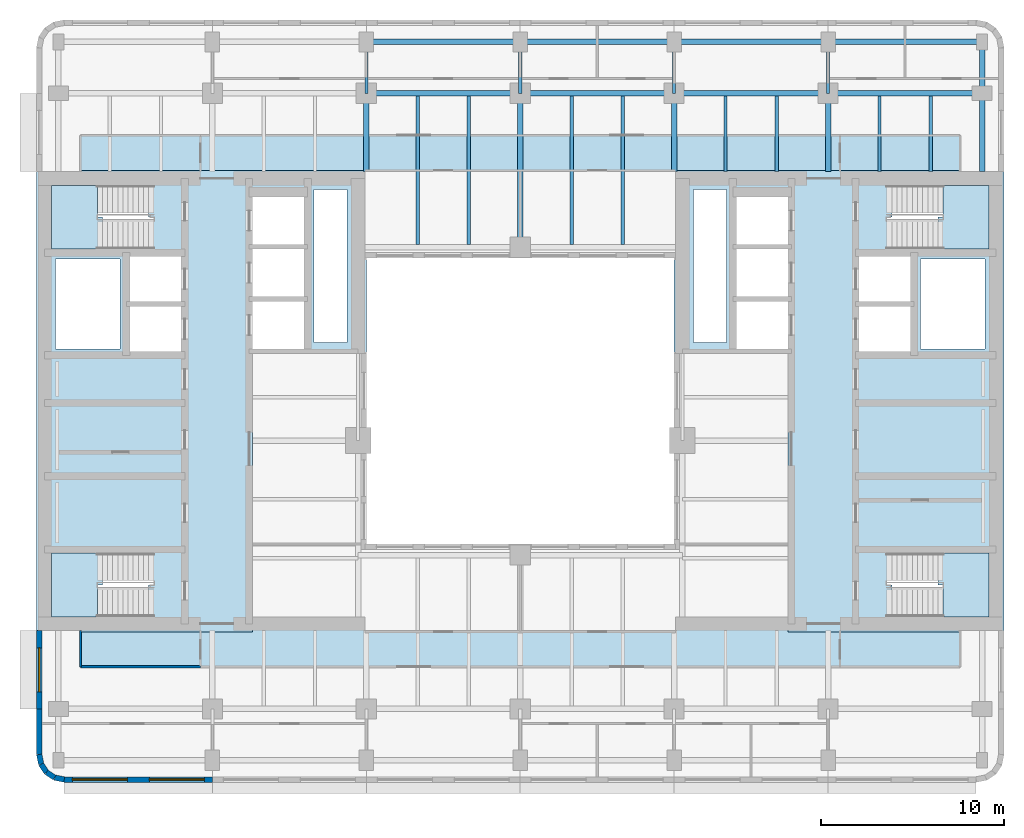
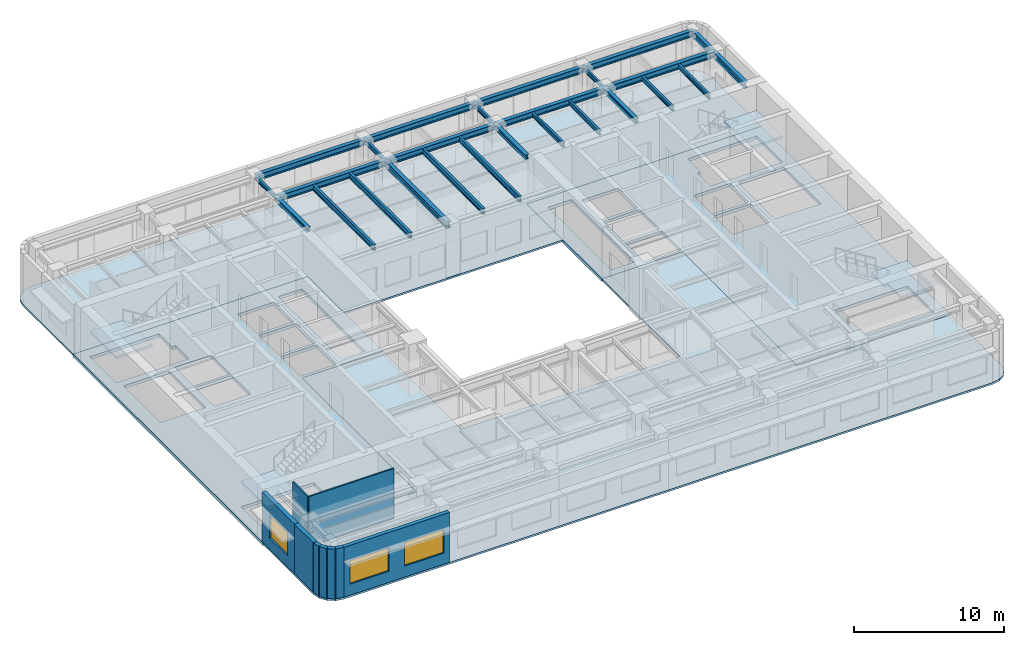
# One storey, part 2 of 11: 26 beams, 9 walls, 8 slabs, 3 windows, 3 openings, 4 elements without a shape of their own.
"""IFC4 building model written with IfcOpenShell, lengths in metres."""

from ifc_helpers import new_model, si_unit, direction, frame, frame_2d, origin, origin_2d, place, context, subcontext, project, spatial, polyline, rectangle, i_section, outline, extrude, material, layer, layer_set, material_profile, profile_set, type_object, element, fill, aggregate, save


model = new_model("IFC4")

# Units and contexts
model_context = context("Model", 3, precision=1e-05, world=origin(), true_north=direction((0.0, 1.0)))
body_context = subcontext(model_context, "Body", "Model", "MODEL_VIEW")
ifc_project = project(units=[si_unit("LENGTHUNIT", "METRE"), si_unit("AREAUNIT", "SQUARE_METRE"), si_unit("VOLUMEUNIT", "CUBIC_METRE"), si_unit("PLANEANGLEUNIT", "RADIAN"), si_unit("MASSUNIT", "GRAM", prefix="KILO")], contexts=[model_context])

# Site, building, storey
site_placement = place(None, origin())
site = spatial("IfcSite", under=ifc_project, at=site_placement, CompositionType="ELEMENT")
building_placement = place(site_placement, origin())
building = spatial("IfcBuilding", under=site, at=building_placement, Name="Claustro Exchange Tower", CompositionType="ELEMENT")
storey_placement = place(building_placement, frame((0.0, 0.0, 232.199951171875)))
storey = spatial("IfcBuildingStorey", under=building, at=storey_placement, Name="L53", CompositionType="ELEMENT", Elevation=232.199951171875)

# Beams
ifc_material_1 = material(Name="Steel S355", Category="steel")
ifc_material_profile_1 = material_profile(ifc_material_1, i_section(OverallWidth=0.169921875, OverallDepth=0.360107421875, WebThickness=0.008056640625, FlangeThickness=0.0126953125, FilletRadius=0.01806640625, at=origin_2d()), Name="IPE 360")
ifc_profile_set_1 = profile_set([ifc_material_profile_1], Name="Steel S355")
beam_type_1 = type_object("IfcBeamType", Name="B16 IPE 360 short-span beam", PredefinedType="BEAM", material=ifc_profile_set_1)
for number, where, z_axis, x_axis, name in (
    (1, (16.800048828125, 42.0, 3.8701171875), (0.0, 1.0, 0.0), (-1.0, 0.0, 0.0), "Beam B16 L54"),
    (2, (25.199951171875, 42.0, 3.8701171875), (0.0, 1.0, 0.0), (-1.0, 0.0, 0.0), "Beam B16 L54"),
    (3, (33.60009765625, 42.0, 3.8701171875), (0.0, 1.0, 0.0), (-1.0, 0.0, 0.0), "Beam B16 L54"),
    (4, (42.0, 42.0, 3.8701171875), (0.0, 1.0, 0.0), (-1.0, 0.0, 0.0), "Beam B16 L54"),
):
    element("IfcBeam", number, at=place(storey_placement, frame(where, z_axis=z_axis, x_axis=x_axis)), inside=storey, type_object=beam_type_1, Name=name, PredefinedType="BEAM", context=body_context, shape_type="SweptSolid", body=[
        extrude(i_section(OverallWidth=0.169921875, OverallDepth=0.360107421875, WebThickness=0.008056640625, FlangeThickness=0.0126953125, FilletRadius=0.01806640625, at=origin_2d()), origin(), (0.0, 0.0, 1.0), 2.800048828125),
    ])
for number, where, z_axis, x_axis, name in (
    (5, (36.39990234375, 37.72509765625, 3.8701171875), (0.0, 1.0, 0.0), (-1.0, 0.0, 0.0), "Beam B16 L54"),
    (6, (39.199951171875, 37.72509765625, 3.8701171875), (0.0, 1.0, 0.0), (-1.0, 0.0, 0.0), "Beam B16 L54"),
    (7, (44.800048828125, 37.72509765625, 3.8701171875), (0.0, 1.0, 0.0), (-1.0, 0.0, 0.0), "Beam B16 L54"),
    (8, (47.60009765625, 37.72509765625, 3.8701171875), (0.0, 1.0, 0.0), (-1.0, 0.0, 0.0), "Beam B16 L54"),
):
    element("IfcBeam", number, at=place(storey_placement, frame(where, z_axis=z_axis, x_axis=x_axis)), inside=storey, type_object=beam_type_1, Name=name, PredefinedType="BEAM", context=body_context, shape_type="SweptSolid", body=[
        extrude(i_section(OverallWidth=0.169921875, OverallDepth=0.360107421875, WebThickness=0.008056640625, FlangeThickness=0.0126953125, FilletRadius=0.01806640625, at=origin_2d()), origin(), (0.0, 0.0, 1.0), 4.125),
    ])
ifc_material_2 = material(Name="Steel S355", Category="steel")
ifc_material_profile_2 = material_profile(ifc_material_2, i_section(OverallWidth=0.300048828125, OverallDepth=0.360107421875, WebThickness=0.012451171875, FlangeThickness=0.0224609375, FilletRadius=0.027099609375, at=origin_2d()), Name="HE 360 B")
ifc_profile_set_2 = profile_set([ifc_material_profile_2], Name="Steel S355")
beam_type_2 = type_object("IfcBeamType", Name="B29 HE 360 B column to core link beam", PredefinedType="BEAM", material=ifc_profile_set_2)
for number, where, z_axis, x_axis, name in (
    (9, (16.800048828125, 37.72509765625, 3.8701171875), (0.0, 1.0, 0.0), (-1.0, 0.0, 0.0), "Beam B29 L54"),
    (10, (33.60009765625, 37.72509765625, 3.8701171875), (0.0, 1.0, 0.0), (-1.0, 0.0, 0.0), "Beam B29 L54"),
    (11, (42.0, 37.72509765625, 3.8701171875), (0.0, 1.0, 0.0), (-1.0, 0.0, 0.0), "Beam B29 L54"),
):
    element("IfcBeam", number, at=place(storey_placement, frame(where, z_axis=z_axis, x_axis=x_axis)), inside=storey, type_object=beam_type_2, Name=name, PredefinedType="BEAM", context=body_context, shape_type="SweptSolid", body=[
        extrude(i_section(OverallWidth=0.300048828125, OverallDepth=0.360107421875, WebThickness=0.012451171875, FlangeThickness=0.0224609375, FilletRadius=0.027099609375, at=origin_2d()), origin(), (0.0, 0.0, 1.0), 4.27490234375),
    ])
ifc_material_3 = material(Name="Steel S355", Category="steel")
ifc_material_profile_3 = material_profile(ifc_material_3, i_section(OverallWidth=0.300048828125, OverallDepth=0.5, WebThickness=0.014404296875, FlangeThickness=0.028076171875, FilletRadius=0.027099609375, at=origin_2d()), Name="HE 500 B")
ifc_profile_set_3 = profile_set([ifc_material_profile_3], Name="Steel S355")
beam_type_3 = type_object("IfcBeamType", Name="B7 HE 500 B floor girder", PredefinedType="BEAM", material=ifc_profile_set_3)
for number, where, z_axis, x_axis, name in (
    (12, (25.199951171875, 33.60009765625, 3.800048828125), (0.0, 1.0, 0.0), (-1.0, 0.0, 0.0), "Beam B7 L54"),
    (13, (16.800048828125, 42.0, 3.800048828125), (1.0, 0.0, 0.0), (0.0, 1.0, 0.0), "Beam B7 L54"),
):
    element("IfcBeam", number, at=place(storey_placement, frame(where, z_axis=z_axis, x_axis=x_axis)), inside=storey, type_object=beam_type_3, Name=name, PredefinedType="BEAM", context=body_context, shape_type="SweptSolid", body=[
        extrude(i_section(OverallWidth=0.300048828125, OverallDepth=0.5, WebThickness=0.014404296875, FlangeThickness=0.028076171875, FilletRadius=0.027099609375, at=origin_2d()), origin(), (0.0, 0.0, 1.0), 8.39990234375),
    ])
beam_1_placement = place(storey_placement, frame((25.199951171875, 42.0, 3.800048828125), z_axis=(1.0, 0.0, 0.0), x_axis=(0.0, 1.0, 0.0)))
element("IfcBeam", 14, at=beam_1_placement, inside=storey, type_object=beam_type_3, Name="Beam B7 L54", PredefinedType="BEAM", context=body_context, shape_type="SweptSolid", body=[
    extrude(i_section(OverallWidth=0.300048828125, OverallDepth=0.5, WebThickness=0.014404296875, FlangeThickness=0.028076171875, FilletRadius=0.027099609375, at=origin_2d()), origin(), (0.0, 0.0, 1.0), 8.400146484375),
])
for number, where, z_axis, x_axis, name in (
    (15, (33.60009765625, 42.0, 3.800048828125), (1.0, 0.0, 0.0), (0.0, 1.0, 0.0), "Beam B7 L54"),
    (16, (42.0, 42.0, 3.800048828125), (1.0, 0.0, 0.0), (0.0, 1.0, 0.0), "Beam B7 L54"),
):
    element("IfcBeam", number, at=place(storey_placement, frame(where, z_axis=z_axis, x_axis=x_axis)), inside=storey, type_object=beam_type_3, Name=name, PredefinedType="BEAM", context=body_context, shape_type="SweptSolid", body=[
        extrude(i_section(OverallWidth=0.300048828125, OverallDepth=0.5, WebThickness=0.014404296875, FlangeThickness=0.028076171875, FilletRadius=0.027099609375, at=origin_2d()), origin(), (0.0, 0.0, 1.0), 8.39990234375),
    ])
ifc_material_4 = material(Name="Steel S355", Category="steel")
ifc_material_profile_4 = material_profile(ifc_material_4, i_section(OverallWidth=0.18994140625, OverallDepth=0.449951171875, WebThickness=0.009521484375, FlangeThickness=0.0146484375, FilletRadius=0.02099609375, at=origin_2d()), Name="IPE 450")
ifc_profile_set_4 = profile_set([ifc_material_profile_4], Name="Steel S355")
beam_type_4 = type_object("IfcBeamType", Name="B8 IPE 450 secondary beam", PredefinedType="BEAM", material=ifc_profile_set_4)
for number, where, z_axis, x_axis, name in (
    (17, (19.60009765625, 33.75, 3.824951171875), (0.0, 1.0, 0.0), (-1.0, 0.0, 0.0), "Beam B8 L54"),
    (18, (22.39990234375, 33.75, 3.824951171875), (0.0, 1.0, 0.0), (-1.0, 0.0, 0.0), "Beam B8 L54"),
    (19, (28.0, 33.75, 3.824951171875), (0.0, 1.0, 0.0), (-1.0, 0.0, 0.0), "Beam B8 L54"),
    (20, (30.800048828125, 33.75, 3.824951171875), (0.0, 1.0, 0.0), (-1.0, 0.0, 0.0), "Beam B8 L54"),
):
    element("IfcBeam", number, at=place(storey_placement, frame(where, z_axis=z_axis, x_axis=x_axis)), inside=storey, type_object=beam_type_4, Name=name, PredefinedType="BEAM", context=body_context, shape_type="SweptSolid", body=[
        extrude(i_section(OverallWidth=0.18994140625, OverallDepth=0.449951171875, WebThickness=0.009521484375, FlangeThickness=0.0146484375, FilletRadius=0.02099609375, at=origin_2d()), origin(), (0.0, 0.0, 1.0), 8.10009765625),
    ])
ifc_material_5 = material(Name="Steel S355", Category="steel")
ifc_material_profile_5 = material_profile(ifc_material_5, i_section(OverallWidth=0.300048828125, OverallDepth=0.489990234375, WebThickness=0.011962890625, FlangeThickness=0.02294921875, FilletRadius=0.027099609375, at=origin_2d()), Name="HE 500 A")
ifc_profile_set_5 = profile_set([ifc_material_profile_5], Name="Steel S355")
beam_type_5 = type_object("IfcBeamType", Name="B9 HE 500 A spandrel edge girder", PredefinedType="SPANDREL", material=ifc_profile_set_5)
beam_2_placement = place(storey_placement, frame((50.39990234375, 37.72509765625, 3.804931640625), z_axis=(0.0, 1.0, 0.0), x_axis=(-1.0, 0.0, 0.0)))
element("IfcBeam", 21, at=beam_2_placement, inside=storey, type_object=beam_type_5, Name="Beam B9 L54", PredefinedType="SPANDREL", context=body_context, shape_type="SweptSolid", body=[
    extrude(i_section(OverallWidth=0.300048828125, OverallDepth=0.489990234375, WebThickness=0.011962890625, FlangeThickness=0.02294921875, FilletRadius=0.027099609375, at=origin_2d()), origin(), (0.0, 0.0, 1.0), 4.27490234375),
])
beam_3_placement = place(storey_placement, frame((50.39990234375, 42.0, 3.804931640625), z_axis=(0.0, 1.0, 0.0), x_axis=(-1.0, 0.0, 0.0)))
element("IfcBeam", 22, at=beam_3_placement, inside=storey, type_object=beam_type_5, Name="Beam B9 L54", PredefinedType="SPANDREL", context=body_context, shape_type="SweptSolid", body=[
    extrude(i_section(OverallWidth=0.300048828125, OverallDepth=0.489990234375, WebThickness=0.011962890625, FlangeThickness=0.02294921875, FilletRadius=0.027099609375, at=origin_2d()), origin(), (0.0, 0.0, 1.0), 2.800048828125),
])
beam_4_placement = place(storey_placement, frame((16.800048828125, 44.800048828125, 3.804931640625), z_axis=(1.0, 0.0, 0.0), x_axis=(0.0, 1.0, 0.0)))
element("IfcBeam", 23, at=beam_4_placement, inside=storey, type_object=beam_type_5, Name="Beam B9 L54", PredefinedType="SPANDREL", context=body_context, shape_type="SweptSolid", body=[
    extrude(i_section(OverallWidth=0.300048828125, OverallDepth=0.489990234375, WebThickness=0.011962890625, FlangeThickness=0.02294921875, FilletRadius=0.027099609375, at=origin_2d()), origin(), (0.0, 0.0, 1.0), 8.39990234375),
])
beam_5_placement = place(storey_placement, frame((25.199951171875, 44.800048828125, 3.804931640625), z_axis=(1.0, 0.0, 0.0), x_axis=(0.0, 1.0, 0.0)))
element("IfcBeam", 24, at=beam_5_placement, inside=storey, type_object=beam_type_5, Name="Beam B9 L54", PredefinedType="SPANDREL", context=body_context, shape_type="SweptSolid", body=[
    extrude(i_section(OverallWidth=0.300048828125, OverallDepth=0.489990234375, WebThickness=0.011962890625, FlangeThickness=0.02294921875, FilletRadius=0.027099609375, at=origin_2d()), origin(), (0.0, 0.0, 1.0), 8.400146484375),
])
for number, where, z_axis, x_axis, name in (
    (25, (33.60009765625, 44.800048828125, 3.804931640625), (1.0, 0.0, 0.0), (0.0, 1.0, 0.0), "Beam B9 L54"),
    (26, (42.0, 44.800048828125, 3.804931640625), (1.0, 0.0, 0.0), (0.0, 1.0, 0.0), "Beam B9 L54"),
):
    element("IfcBeam", number, at=place(storey_placement, frame(where, z_axis=z_axis, x_axis=x_axis)), inside=storey, type_object=beam_type_5, Name=name, PredefinedType="SPANDREL", context=body_context, shape_type="SweptSolid", body=[
        extrude(i_section(OverallWidth=0.300048828125, OverallDepth=0.489990234375, WebThickness=0.011962890625, FlangeThickness=0.02294921875, FilletRadius=0.027099609375, at=origin_2d()), origin(), (0.0, 0.0, 1.0), 8.39990234375),
    ])

# Slabs
ifc_material_6 = material(Name="Concrete HA-50 (C50/60)", Category="concrete")
ifc_layer_1 = layer(ifc_material_6, 0.14990234375)
ifc_layer_set_1 = layer_set([ifc_layer_1], Name="Concrete HA-50 (C50/60)")
slab_type_1 = type_object("IfcSlabType", Name="S2 150 composite floor slab", PredefinedType="FLOOR", material=ifc_layer_set_1)
slab_1_placement = place(storey_placement, frame((0.0, 0.0, -0.14990234375)))
element("IfcSlab", 27, at=slab_1_placement, inside=storey, type_object=slab_type_1, Name="Floor slab S2 S L53", PredefinedType="FLOOR", context=body_context, shape_type="SweptSolid", body=[
    extrude(outline(polyline([(-0.27392578125, 4.51416015625), (0.300048828125, 4.39990234375), (50.10009765625, 4.39990234375), (50.674072265625, 4.51416015625), (51.16064453125, 4.83935546875), (51.48583984375, 5.325927734375), (51.60009765625, 5.89990234375), (51.60009765625, 12.60009765625), (39.800048828125, 12.60009765625), (39.800048828125, 27.800048828125), (33.60009765625, 27.800048828125), (33.60009765625, 17.39990234375), (16.800048828125, 17.39990234375), (16.800048828125, 27.800048828125), (10.60009765625, 27.800048828125), (10.60009765625, 12.60009765625), (-1.199951171875, 12.60009765625), (-1.199951171875, 5.89990234375), (-1.085693359375, 5.325927734375), (-0.7607421875, 4.83935546875), (-0.27392578125, 4.51416015625)])), origin(), (0.0, 0.0, 1.0), 0.14990234375),
])
slab_2_placement = place(storey_placement, frame((0.0, 0.0, -0.14990234375)))
element("IfcSlab", 28, at=slab_2_placement, inside=storey, type_object=slab_type_1, Name="Floor slab S2 N L53", PredefinedType="FLOOR", context=body_context, shape_type="SweptSolid", body=[
    extrude(outline(polyline([(16.800048828125, 37.800048828125), (16.800048828125, 33.0), (33.60009765625, 33.0), (33.60009765625, 37.800048828125), (51.60009765625, 37.800048828125), (51.60009765625, 44.5), (51.48583984375, 45.073974609375), (51.16064453125, 45.560791015625), (50.674072265625, 45.8857421875), (50.10009765625, 46.0), (0.300048828125, 46.0), (-0.27392578125, 45.8857421875), (-0.7607421875, 45.560791015625), (-1.085693359375, 45.073974609375), (-1.199951171875, 44.5), (-1.199951171875, 37.800048828125), (16.800048828125, 37.800048828125)])), origin(), (0.0, 0.0, 1.0), 0.14990234375),
])
ifc_material_7 = material(Name="Concrete HA-50 (C50/60)", Category="concrete")
ifc_layer_2 = layer(ifc_material_7, 0.25)
ifc_layer_set_2 = layer_set([ifc_layer_2], Name="Concrete HA-50 (C50/60)")
slab_type_2 = type_object("IfcSlabType", Name="S7 250 core floor slab", PredefinedType="FLOOR", material=ifc_layer_set_2)
slab_3_placement = place(storey_placement, frame((0.0, 0.0, -0.25)))
element("IfcSlab", 29, at=slab_3_placement, inside=storey, type_object=slab_type_2, Name="Core floor slab S7 W core L53", PredefinedType="FLOOR", context=body_context, shape_type="SweptSolid", body=[
    extrude(outline(polyline([(-1.199951171875, 37.800048828125), (-1.199951171875, 12.60009765625), (10.60009765625, 12.60009765625), (10.60009765625, 27.800048828125), (16.800048828125, 27.800048828125), (16.800048828125, 37.800048828125), (-1.199951171875, 37.800048828125)]), holes=[polyline([(13.949951171875, 36.75), (15.75, 36.75), (15.75, 28.39990234375), (13.949951171875, 28.39990234375), (13.949951171875, 36.75)]), polyline([(10.60009765625, 30.64990234375), (13.39990234375, 30.64990234375), (13.39990234375, 28.050048828125), (10.60009765625, 28.050048828125), (10.60009765625, 30.64990234375)]), polyline([(10.60009765625, 33.5), (13.39990234375, 33.5), (13.39990234375, 30.89990234375), (10.60009765625, 30.89990234375), (10.60009765625, 33.5)]), polyline([(13.39990234375, 36.35009765625), (13.39990234375, 33.75), (10.60009765625, 33.75), (10.60009765625, 36.35009765625), (13.39990234375, 36.35009765625)]), polyline([(3.89990234375, 30.375), (6.699951171875, 30.375), (6.699951171875, 27.89990234375), (3.89990234375, 27.89990234375), (3.89990234375, 30.375)]), polyline([(3.89990234375, 33.10009765625), (6.699951171875, 33.10009765625), (6.699951171875, 30.625), (3.89990234375, 30.625), (3.89990234375, 33.10009765625)]), polyline([(-0.375, 15.16259765625), (-0.375, 16.89990234375), (5.195068359375, 16.89990234375), (5.195068359375, 15.16259765625), (4.919921875, 15.16259765625), (4.919921875, 13.425048828125), (-0.375, 13.425048828125), (-0.375, 15.16259765625)]), polyline([(-0.375, 35.237548828125), (-0.375, 36.97509765625), (4.919921875, 36.97509765625), (4.919921875, 35.237548828125), (5.195068359375, 35.237548828125), (5.195068359375, 33.5), (-0.375, 33.5), (-0.375, 35.237548828125)]), polyline([(-0.14990234375, 32.949951171875), (3.35009765625, 32.949951171875), (3.35009765625, 28.050048828125), (-0.14990234375, 28.050048828125), (-0.14990234375, 32.949951171875)])]), origin(), (0.0, 0.0, 1.0), 0.25),
])
slab_4_placement = place(storey_placement, frame((0.0, 0.0, -0.25)))
element("IfcSlab", 30, at=slab_4_placement, inside=storey, type_object=slab_type_2, Name="Core floor slab S7 E core L53", PredefinedType="FLOOR", context=body_context, shape_type="SweptSolid", body=[
    extrude(outline(polyline([(51.60009765625, 37.800048828125), (33.60009765625, 37.800048828125), (33.60009765625, 27.800048828125), (39.800048828125, 27.800048828125), (39.800048828125, 12.60009765625), (51.60009765625, 12.60009765625), (51.60009765625, 37.800048828125)]), holes=[polyline([(45.47998046875, 15.16259765625), (45.205078125, 15.16259765625), (45.205078125, 16.89990234375), (50.77490234375, 16.89990234375), (50.77490234375, 15.16259765625), (50.77490234375, 13.425048828125), (45.47998046875, 13.425048828125), (45.47998046875, 15.16259765625)]), polyline([(45.47998046875, 35.237548828125), (45.47998046875, 36.97509765625), (50.77490234375, 36.97509765625), (50.77490234375, 35.237548828125), (50.77490234375, 33.5), (45.205078125, 33.5), (45.205078125, 35.237548828125), (45.47998046875, 35.237548828125)]), polyline([(47.050048828125, 32.949951171875), (50.550048828125, 32.949951171875), (50.550048828125, 28.050048828125), (47.050048828125, 28.050048828125), (47.050048828125, 32.949951171875)]), polyline([(43.699951171875, 30.375), (46.5, 30.375), (46.5, 27.89990234375), (43.699951171875, 27.89990234375), (43.699951171875, 30.375)]), polyline([(43.699951171875, 33.10009765625), (46.5, 33.10009765625), (46.5, 30.625), (43.699951171875, 30.625), (43.699951171875, 33.10009765625)]), polyline([(37.0, 30.64990234375), (39.800048828125, 30.64990234375), (39.800048828125, 28.050048828125), (37.0, 28.050048828125), (37.0, 30.64990234375)]), polyline([(37.0, 33.5), (39.800048828125, 33.5), (39.800048828125, 30.89990234375), (37.0, 30.89990234375), (37.0, 33.5)]), polyline([(39.800048828125, 36.35009765625), (39.800048828125, 33.75), (37.0, 33.75), (37.0, 36.35009765625), (39.800048828125, 36.35009765625)]), polyline([(34.64990234375, 36.75), (36.449951171875, 36.75), (36.449951171875, 28.39990234375), (34.64990234375, 28.39990234375), (34.64990234375, 36.75)])]), origin(), (0.0, 0.0, 1.0), 0.25),
])

# Stair, slab
ifc_material_8 = material(Name="Concrete HA-30 (C30/37), precast", Category="concrete")
stair_type = type_object("IfcStairType", Name="ST1 half-turn stair, 24 risers of 175", PredefinedType="HALF_TURN_STAIR", material=ifc_material_8)
stair_1_placement = place(storey_placement, origin())
stair_1 = element("IfcStair", 31, at=stair_1_placement, inside=storey, type_object=stair_type, Name="Stair STWA L53", PredefinedType="HALF_TURN_STAIR")
ifc_material_9 = material(Name="Concrete HA-30 (C30/37), precast", Category="concrete")
ifc_layer_3 = layer(ifc_material_9, 0.199951171875)
ifc_layer_set_3 = layer_set([ifc_layer_3], Name="Concrete HA-30 (C30/37), precast")
slab_type_3 = type_object("IfcSlabType", Name="S9 200 stair landing", PredefinedType="LANDING", material=ifc_layer_set_3)
slab_5_placement = place(storey_placement, frame((0.0, 0.0, 1.900146484375)))
slab_5 = element("IfcSlab", 32, at=slab_5_placement, type_object=slab_type_3, Name="STWA landing 1", PredefinedType="LANDING", context=body_context, shape_type="SweptSolid", body=[
    extrude(outline(polyline([(2.125, 13.425048828125), (-0.375, 13.425048828125), (-0.375, 16.89990234375), (2.1201171875, 16.89990234375), (2.125, 16.89990234375), (2.39990234375, 16.89990234375), (2.39990234375, 15.16259765625), (2.125, 15.16259765625), (2.125, 13.425048828125)])), origin(), (0.0, 0.0, 1.0), 0.199951171875),
])
aggregate(stair_1, [slab_5])

stair_2_placement = place(storey_placement, origin())
stair_2 = element("IfcStair", 33, at=stair_2_placement, inside=storey, type_object=stair_type, Name="Stair STWB L53", PredefinedType="HALF_TURN_STAIR")
slab_6_placement = place(storey_placement, frame((0.0, 0.0, 1.900146484375)))
slab_6 = element("IfcSlab", 34, at=slab_6_placement, type_object=slab_type_3, Name="STWB landing 1", PredefinedType="LANDING", context=body_context, shape_type="SweptSolid", body=[
    extrude(outline(polyline([(2.39990234375, 35.237548828125), (2.39990234375, 33.5), (2.125, 33.5), (2.1201171875, 33.5), (-0.375, 33.5), (-0.375, 36.97509765625), (2.125, 36.97509765625), (2.125, 35.237548828125), (2.39990234375, 35.237548828125)])), origin(), (0.0, 0.0, 1.0), 0.199951171875),
])
aggregate(stair_2, [slab_6])

stair_3_placement = place(storey_placement, origin())
stair_3 = element("IfcStair", 35, at=stair_3_placement, inside=storey, type_object=stair_type, Name="Stair STEA L53", PredefinedType="HALF_TURN_STAIR")
slab_7_placement = place(storey_placement, frame((0.0, 0.0, 1.900146484375)))
slab_7 = element("IfcSlab", 36, at=slab_7_placement, type_object=slab_type_3, Name="STEA landing 1", PredefinedType="LANDING", context=body_context, shape_type="SweptSolid", body=[
    extrude(outline(polyline([(50.77490234375, 16.89990234375), (50.77490234375, 13.425048828125), (48.27490234375, 13.425048828125), (48.27490234375, 15.16259765625), (48.0, 15.16259765625), (48.0, 16.89990234375), (48.27490234375, 16.89990234375), (48.280029296875, 16.89990234375), (50.77490234375, 16.89990234375)])), origin(), (0.0, 0.0, 1.0), 0.199951171875),
])
aggregate(stair_3, [slab_7])

stair_4_placement = place(storey_placement, origin())
stair_4 = element("IfcStair", 37, at=stair_4_placement, inside=storey, type_object=stair_type, Name="Stair STEB L53", PredefinedType="HALF_TURN_STAIR")
slab_8_placement = place(storey_placement, frame((0.0, 0.0, 1.900146484375)))
slab_8 = element("IfcSlab", 38, at=slab_8_placement, type_object=slab_type_3, Name="STEB landing 1", PredefinedType="LANDING", context=body_context, shape_type="SweptSolid", body=[
    extrude(outline(polyline([(48.0, 33.5), (48.0, 35.237548828125), (48.27490234375, 35.237548828125), (48.27490234375, 36.97509765625), (50.77490234375, 36.97509765625), (50.77490234375, 33.5), (48.280029296875, 33.5), (48.27490234375, 33.5), (48.0, 33.5)])), origin(), (0.0, 0.0, 1.0), 0.199951171875),
])
aggregate(stair_4, [slab_8])

# Walls
ifc_material_10 = material(Name="Laminated glass in aluminium frame", Category="aluminium")
ifc_layer_4 = layer(ifc_material_10, 0.1201171875)
ifc_layer_set_4 = layer_set([ifc_layer_4], Name="Laminated glass in aluminium frame")
wall_type_1 = type_object("IfcWallType", Name="P2 120 glazed partition", PredefinedType="PARTITIONING", material=ifc_layer_set_4)
wall_1_placement = place(storey_placement, frame((1.199951171875, 10.699951171875, 0.0), z_axis=(0.0, 0.0, 1.0), x_axis=(1.0, 0.0, 0.0)))
element("IfcWall", 39, at=wall_1_placement, inside=storey, type_object=wall_type_1, Name="Partition P2 L53", PredefinedType="PARTITIONING", context=body_context, shape_type="SweptSolid", body=[
    extrude(rectangle(XDim=6.552001953125, YDim=0.1201171875, at=frame_2d((3.27587890625, 0.0))), origin(), (0.0, 0.0, 1.0), 4.050048828125),
])
wall_2_placement = place(storey_placement, frame((1.199951171875, 10.699951171875, 0.0), z_axis=(0.0, 0.0, 1.0), x_axis=(0.0, 1.0, 0.0)))
element("IfcWall", 40, at=wall_2_placement, inside=storey, type_object=wall_type_1, Name="Partition P2 L53", PredefinedType="PARTITIONING", context=body_context, shape_type="SweptSolid", body=[
    extrude(rectangle(XDim=1.97607421875, YDim=0.1201171875, at=frame_2d((0.988037109375, 0.0))), origin(), (0.0, 0.0, 1.0), 4.050048828125),
])

# Wall, openings, windows
ifc_material_11 = material(Name="Concrete HA-40 (C40/50), precast, white cement, acid-etched", Category="concrete")
ifc_layer_5 = layer(ifc_material_11, 0.300048828125)
ifc_layer_set_5 = layer_set([ifc_layer_5], Name="Concrete HA-40 (C40/50), precast, white cement, acid-etched")
wall_type_2 = type_object("IfcWallType", Name="PC1 300 precast concrete pier panel", PredefinedType="SOLIDWALL", material=ifc_layer_set_5)
wall_3_placement = place(storey_placement, frame((8.39990234375, 4.550048828125, 0.0), z_axis=(0.0, 0.0, 1.0), x_axis=(-1.0, 0.0, 0.0)))
wall_3 = element("IfcWall", 41, at=wall_3_placement, inside=storey, type_object=wall_type_2, Name="Precast pier panel PC1 L53", PredefinedType="SOLIDWALL", context=body_context, shape_type="SweptSolid", body=[
    extrude(rectangle(XDim=8.085205078125, YDim=0.300048828125, at=frame_2d((4.04248046875, 0.0))), origin(), (0.0, 0.0, 1.0), 4.050048828125),
])
opening_1_placement = place(wall_3_placement, frame((0.442626953125, 0.0, 0.89990234375)))
opening_1 = element("IfcOpeningElement", 42, at=opening_1_placement, cuts=wall_3, Name="Opening W1", PredefinedType="OPENING", context=body_context, shape_type="SweptSolid", body=[
    extrude(rectangle(XDim=3.0, YDim=1.89990234375, at=frame_2d((1.5, 0.949951171875))), frame((0.0, 0.159912109375, 0.0), z_axis=(0.0, -1.0, 0.0), x_axis=(1.0, 0.0, 0.0)), (0.0, 0.0, 1.0), 0.320068359375),
])
opening_2_placement = place(wall_3_placement, frame((4.642578125, 0.0, 0.89990234375)))
opening_2 = element("IfcOpeningElement", 43, at=opening_2_placement, cuts=wall_3, Name="Opening W1", PredefinedType="OPENING", context=body_context, shape_type="SweptSolid", body=[
    extrude(rectangle(XDim=3.0, YDim=1.89990234375, at=frame_2d((1.5, 0.949951171875))), frame((0.0, 0.159912109375, 0.0), z_axis=(0.0, -1.0, 0.0), x_axis=(1.0, 0.0, 0.0)), (0.0, 0.0, 1.0), 0.320068359375),
])
ifc_material_12 = material(Name="Aluminium frame, clear double glazing", Category="aluminium")
window_type_1 = type_object("IfcWindowType", Name="W1 3000 x 1900 window", PartitioningType="SINGLE_PANEL", PredefinedType="WINDOW", material=ifc_material_12)
window_1_placement = place(opening_1_placement, origin())
window_1 = element("IfcWindow", 44, at=window_1_placement, inside=storey, type_object=window_type_1, Name="Window W1 L53", OverallHeight=1.89990234375, OverallWidth=3.0, PartitioningType="SINGLE_PANEL", PredefinedType="WINDOW", context=body_context, shape_type="SweptSolid", body=[
    extrude(rectangle(XDim=3.0, YDim=1.89990234375, at=frame_2d((1.5, 0.949951171875))), frame((0.0, 0.030029296875, 0.0), z_axis=(0.0, -1.0, 0.0), x_axis=(1.0, 0.0, 0.0)), (0.0, 0.0, 1.0), 0.06005859375),
])
fill(opening_1, window_1)
window_2_placement = place(opening_2_placement, origin())
window_2 = element("IfcWindow", 45, at=window_2_placement, inside=storey, type_object=window_type_1, Name="Window W1 L53", OverallHeight=1.89990234375, OverallWidth=3.0, PartitioningType="SINGLE_PANEL", PredefinedType="WINDOW", context=body_context, shape_type="SweptSolid", body=[
    extrude(rectangle(XDim=3.0, YDim=1.89990234375, at=frame_2d((1.5, 0.949951171875))), frame((0.0, 0.030029296875, 0.0), z_axis=(0.0, -1.0, 0.0), x_axis=(1.0, 0.0, 0.0)), (0.0, 0.0, 1.0), 0.06005859375),
])
fill(opening_2, window_2)

# Walls
wall_4_placement = place(storey_placement, frame((0.314697265625, 4.550048828125, 0.0), z_axis=(0.0, 0.0, 1.0), x_axis=(-0.980788534345, 0.195073962632, 0.0)))
element("IfcWall", 46, at=wall_4_placement, inside=storey, type_object=wall_type_2, Name="Precast pier panel PC1 L53", PredefinedType="SOLIDWALL", context=body_context, shape_type="SweptSolid", body=[
    extrude(rectangle(XDim=0.540771484375, YDim=0.300048828125, at=frame_2d((0.2705078125, 0.0))), origin(), (0.0, 0.0, 1.0), 4.050048828125),
])
for number, where, z_axis, x_axis, name in (
    (47, (-0.215576171875, 4.655517578125, 0.0), (0.0, 0.0, 1.0), (-0.831478144188, 0.555557463938, 0.0), "Precast pier panel PC1 L53"),
    (48, (-0.652587890625, 4.947509765625, 0.0), (0.0, 0.0, 1.0), (-0.555557463938, 0.831478144188, 0.0), "Precast pier panel PC1 L53"),
):
    element("IfcWall", number, at=place(storey_placement, frame(where, z_axis=z_axis, x_axis=x_axis)), inside=storey, type_object=wall_type_2, Name=name, PredefinedType="SOLIDWALL", context=body_context, shape_type="SweptSolid", body=[
        extrude(rectangle(XDim=0.525634765625, YDim=0.300048828125, at=frame_2d((0.2626953125, 0.0))), origin(), (0.0, 0.0, 1.0), 4.050048828125),
    ])
wall_5_placement = place(storey_placement, frame((-0.944580078125, 5.384521484375, 0.0), z_axis=(0.0, 0.0, 1.0), x_axis=(-0.195073962632, 0.980788534345, 0.0)))
element("IfcWall", 49, at=wall_5_placement, inside=storey, type_object=wall_type_2, Name="Precast pier panel PC1 L53", PredefinedType="SOLIDWALL", context=body_context, shape_type="SweptSolid", body=[
    extrude(rectangle(XDim=0.540771484375, YDim=0.300048828125, at=frame_2d((0.2705078125, 0.0))), origin(), (0.0, 0.0, 1.0), 4.050048828125),
])
wall_6_placement = place(storey_placement, frame((-1.050048828125, 5.914794921875, 0.0), z_axis=(0.0, 0.0, 1.0), x_axis=(0.0, 1.0, 0.0)))
element("IfcWall", 50, at=wall_6_placement, inside=storey, type_object=wall_type_2, Name="Precast pier panel PC1 L53", PredefinedType="SOLIDWALL", context=body_context, shape_type="SweptSolid", body=[
    extrude(rectangle(XDim=2.485107421875, YDim=0.300048828125, at=frame_2d((1.24267578125, 0.0))), origin(), (0.0, 0.0, 1.0), 4.050048828125),
])

# Wall, opening, window
wall_7_placement = place(storey_placement, frame((-1.050048828125, 8.39990234375, 0.0), z_axis=(0.0, 0.0, 1.0), x_axis=(0.0, 1.0, 0.0)))
wall_7 = element("IfcWall", 51, at=wall_7_placement, inside=storey, type_object=wall_type_2, Name="Precast pier panel PC1 L53", PredefinedType="SOLIDWALL", context=body_context, shape_type="SweptSolid", body=[
    extrude(rectangle(XDim=4.275146484375, YDim=0.300048828125, at=frame_2d((2.1376953125, 0.0))), origin(), (0.0, 0.0, 1.0), 4.050048828125),
])
opening_3_placement = place(wall_7_placement, frame((0.9375, 0.0, 0.89990234375)))
opening_3 = element("IfcOpeningElement", 52, at=opening_3_placement, cuts=wall_7, Name="Opening W2", PredefinedType="OPENING", context=body_context, shape_type="SweptSolid", body=[
    extrude(rectangle(XDim=2.39990234375, YDim=1.89990234375, at=frame_2d((1.199951171875, 0.949951171875))), frame((0.0, 0.159912109375, 0.0), z_axis=(0.0, -1.0, 0.0), x_axis=(1.0, 0.0, 0.0)), (0.0, 0.0, 1.0), 0.320068359375),
])
ifc_material_13 = material(Name="Aluminium frame, clear double glazing", Category="aluminium")
window_type_2 = type_object("IfcWindowType", Name="W2 2400 x 1900 window", PartitioningType="SINGLE_PANEL", PredefinedType="WINDOW", material=ifc_material_13)
window_3_placement = place(opening_3_placement, origin())
window_3 = element("IfcWindow", 53, at=window_3_placement, inside=storey, type_object=window_type_2, Name="Window W2 L53", OverallHeight=1.89990234375, OverallWidth=2.39990234375, PartitioningType="SINGLE_PANEL", PredefinedType="WINDOW", context=body_context, shape_type="SweptSolid", body=[
    extrude(rectangle(XDim=2.39990234375, YDim=1.89990234375, at=frame_2d((1.199951171875, 0.949951171875))), frame((0.0, 0.030029296875, 0.0), z_axis=(0.0, -1.0, 0.0), x_axis=(1.0, 0.0, 0.0)), (0.0, 0.0, 1.0), 0.06005859375),
])
fill(opening_3, window_3)

save(model, "model.ifc")
